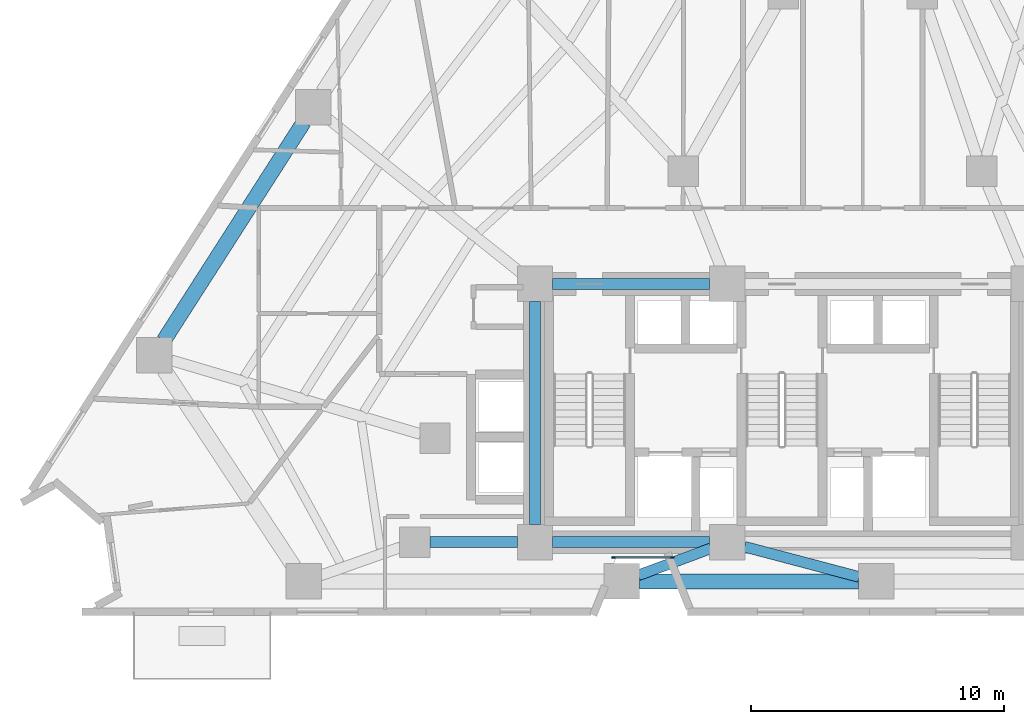
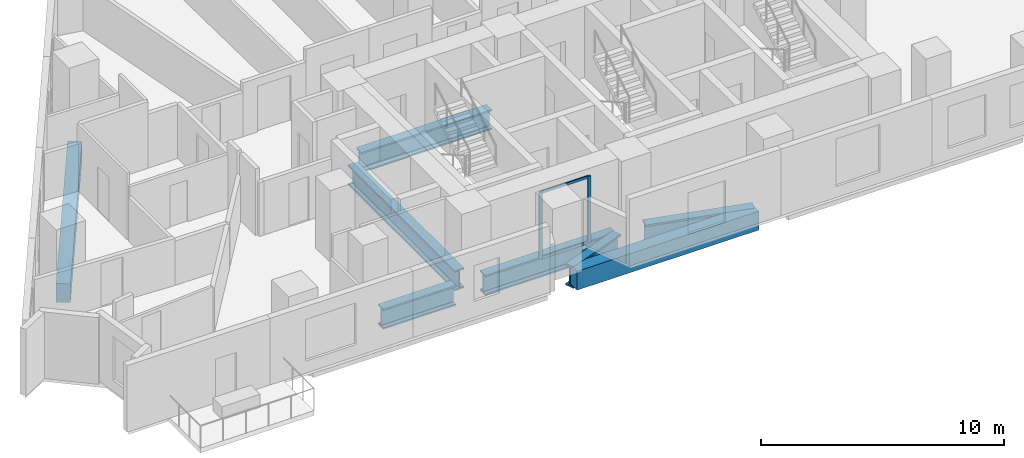
# One storey, part 2 of 14: 8 beams, 4 members, 1 element without a shape of its own.
"""IFC4 building model written with IfcOpenShell, lengths in metres."""

from ifc_helpers import new_model, si_unit, direction, frame, origin, origin_2d, place, context, subcontext, project, spatial, rectangle, i_section, extrude, material, layer, layer_set, material_profile, profile_set, type_object, element, aggregate, save


model = new_model("IFC4")

# Units and contexts
model_context = context("Model", 3, precision=1e-05, world=origin(), true_north=direction((0.0, 1.0)))
body_context = subcontext(model_context, "Body", "Model", "MODEL_VIEW")
ifc_project = project(units=[si_unit("LENGTHUNIT", "METRE"), si_unit("AREAUNIT", "SQUARE_METRE"), si_unit("VOLUMEUNIT", "CUBIC_METRE"), si_unit("PLANEANGLEUNIT", "RADIAN"), si_unit("MASSUNIT", "GRAM", prefix="KILO")], contexts=[model_context])

# Site, building, storey
site_placement = place(None, origin())
site = spatial("IfcSite", under=ifc_project, at=site_placement, CompositionType="ELEMENT")
building_placement = place(site_placement, origin())
building = spatial("IfcBuilding", under=site, at=building_placement, Name="Almagre Mirador Tower", CompositionType="ELEMENT")
storey_placement = place(building_placement, frame((0.0, 0.0, 35.39990234375)))
storey = spatial("IfcBuildingStorey", under=building, at=storey_placement, Name="L07", CompositionType="ELEMENT", Elevation=35.39990234375)

# Beams
ifc_material_1 = material(Name="Precast concrete C50/60", Category="concrete")
ifc_material_profile_1 = material_profile(ifc_material_1, rectangle(XDim=0.60009765625, YDim=0.949951171875, at=origin_2d()), Name="RC600X950")
ifc_profile_set_1 = profile_set([ifc_material_profile_1], Name="Precast concrete C50/60")
beam_type_1 = type_object("IfcBeamType", Name="BM-SPN-RC600X950", PredefinedType="SPANDREL", material=ifc_profile_set_1)
beam_1_placement = place(storey_placement, frame((31.676025390625, 3.0, -0.724853515625), z_axis=(1.0, 0.0, 0.0), x_axis=(0.0, 1.0, 0.0)))
element("IfcBeam", 1, at=beam_1_placement, inside=storey, type_object=beam_type_1, Name="L07 perimeter spandrel beam PC02-PC03", PredefinedType="SPANDREL", context=body_context, shape_type="SweptSolid", body=[
    extrude(rectangle(XDim=0.60009765625, YDim=0.949951171875, at=origin_2d()), origin(), (0.0, 0.0, 1.0), 8.64794921875),
])
beam_2_placement = place(storey_placement, frame((18.42041015625, 21.1435546875, -0.724853515625), z_axis=(-0.539549548581, -0.841953849463, 0.0), x_axis=(0.841953849463, -0.539549548581, 0.0)))
element("IfcBeam", 2, at=beam_2_placement, inside=storey, type_object=beam_type_1, Name="L07 perimeter spandrel beam PC11-PC12", PredefinedType="SPANDREL", context=body_context, shape_type="SweptSolid", body=[
    extrude(rectangle(XDim=0.60009765625, YDim=0.949951171875, at=origin_2d()), origin(), (0.0, 0.0, 1.0), 10.239501953125),
])
ifc_material_2 = material(Name="Steel ASTM A992 Grade 50", Category="steel")
ifc_material_profile_2 = material_profile(ifc_material_2, i_section(OverallWidth=0.43701171875, OverallDepth=1.010986328125, WebThickness=0.041015625, FlangeThickness=0.073974609375, FilletRadius=0.028076171875, at=origin_2d()), Name="W36X529")
ifc_profile_set_2 = profile_set([ifc_material_profile_2], Name="Steel ASTM A992 Grade 50")
beam_type_2 = type_object("IfcBeamType", Name="BM-STL-W36X529", PredefinedType="BEAM", material=ifc_profile_set_2)
for number, where, z_axis, x_axis, name in (
    (3, (28.25, 4.550048828125, -0.75537109375), (1.0, 0.0, 0.0), (0.0, 1.0, 0.0), "L07 core tie girder CC1-CC2"),
    (4, (28.25, 14.75, -0.75537109375), (1.0, 0.0, 0.0), (0.0, 1.0, 0.0), "L07 core tie girder CC4-CC5"),
):
    element("IfcBeam", number, at=place(storey_placement, frame(where, z_axis=z_axis, x_axis=x_axis)), inside=storey, type_object=beam_type_2, Name=name, PredefinedType="BEAM", context=body_context, shape_type="SweptSolid", body=[
        extrude(i_section(OverallWidth=0.43701171875, OverallDepth=1.010986328125, WebThickness=0.041015625, FlangeThickness=0.073974609375, FilletRadius=0.028076171875, at=origin_2d()), origin(), (0.0, 0.0, 1.0), 6.199951171875),
    ])
beam_3_placement = place(storey_placement, frame((27.550048828125, 5.25, -0.75537109375), z_axis=(0.0, 1.0, 0.0), x_axis=(-1.0, 0.0, 0.0)))
element("IfcBeam", 5, at=beam_3_placement, inside=storey, type_object=beam_type_2, Name="L07 core tie girder CC1-CC4", PredefinedType="BEAM", context=body_context, shape_type="SweptSolid", body=[
    extrude(i_section(OverallWidth=0.43701171875, OverallDepth=1.010986328125, WebThickness=0.041015625, FlangeThickness=0.073974609375, FilletRadius=0.028076171875, at=origin_2d()), origin(), (0.0, 0.0, 1.0), 8.800048828125),
])
beam_4_placement = place(storey_placement, frame((23.39990234375, 4.550048828125, -0.75537109375), z_axis=(1.0, 0.0, 0.0), x_axis=(0.0, 1.0, 0.0)))
element("IfcBeam", 6, at=beam_4_placement, inside=storey, type_object=beam_type_2, Name="L07 core tie girder MC1-CC1", PredefinedType="BEAM", context=body_context, shape_type="SweptSolid", body=[
    extrude(i_section(OverallWidth=0.43701171875, OverallDepth=1.010986328125, WebThickness=0.041015625, FlangeThickness=0.073974609375, FilletRadius=0.028076171875, at=origin_2d()), origin(), (0.0, 0.0, 1.0), 3.4501953125),
])
ifc_material_3 = material(Name="Steel ASTM A913 Grade 65", Category="steel")
ifc_material_profile_3 = material_profile(ifc_material_3, i_section(OverallWidth=0.424072265625, OverallDepth=1.092041015625, WebThickness=0.04541015625, FlangeThickness=0.08203125, FilletRadius=0.030029296875, at=origin_2d()), Name="W40X593")
ifc_profile_set_3 = profile_set([ifc_material_profile_3], Name="Steel ASTM A913 Grade 65")
beam_type_3 = type_object("IfcBeamType", Name="BM-STL-W40X593", PredefinedType="BEAM", material=ifc_profile_set_3)
beam_5_placement = place(storey_placement, frame((31.632080078125, 3.24365234375, -0.7958984375), z_axis=(0.937448389948, 0.348124282669, 0.0), x_axis=(-0.348124282669, 0.937448389948, 0.0)))
element("IfcBeam", 7, at=beam_5_placement, inside=storey, type_object=beam_type_3, Name="L07 radial floor girder PC02-CC2", PredefinedType="BEAM", context=body_context, shape_type="SweptSolid", body=[
    extrude(i_section(OverallWidth=0.424072265625, OverallDepth=1.092041015625, WebThickness=0.04541015625, FlangeThickness=0.08203125, FilletRadius=0.030029296875, at=origin_2d()), origin(), (0.0, 0.0, 1.0), 3.052734375),
])
beam_6_placement = place(storey_placement, frame((40.34716796875, 3.1787109375, -0.7958984375), z_axis=(-0.966911988655, 0.255110184422, 0.0), x_axis=(-0.255110184422, -0.966911988655, 0.0)))
element("IfcBeam", 8, at=beam_6_placement, inside=storey, type_object=beam_type_3, Name="L07 radial floor girder PC03-CC2", PredefinedType="BEAM", context=body_context, shape_type="SweptSolid", body=[
    extrude(i_section(OverallWidth=0.424072265625, OverallDepth=1.092041015625, WebThickness=0.04541015625, FlangeThickness=0.08203125, FilletRadius=0.030029296875, at=origin_2d()), origin(), (0.0, 0.0, 1.0), 4.675048828125),
])

# Curtain wall, members
ifc_material_4 = material(Name="Black anodized aluminium", Category="aluminium")
ifc_layer = layer(ifc_material_4, 0.169921875)
ifc_layer_set = layer_set([ifc_layer], Name="Black anodized aluminium")
curtain_wall_type = type_object("IfcCurtainWallType", Name="CW-CRS-SYS", PredefinedType="NOTDEFINED", material=ifc_layer_set)
curtain_wall_placement = place(storey_placement, origin())
curtain_wall = element("IfcCurtainWall", 9, at=curtain_wall_placement, inside=storey, type_object=curtain_wall_type, Name="L07 vertical crease curtain wall 04", PredefinedType="NOTDEFINED")
ifc_material_5 = material(Name="Black anodized aluminium", Category="aluminium")
ifc_material_profile_4 = material_profile(ifc_material_5, rectangle(XDim=0.06005859375, YDim=0.14990234375, at=origin_2d()), Name="CWM60X150")
ifc_profile_set_4 = profile_set([ifc_material_profile_4], Name="Black anodized aluminium")
member_type_1 = type_object("IfcMemberType", Name="MBR-CWM60X150", PredefinedType="MULLION", material=ifc_profile_set_4)
member_1_placement = place(storey_placement, frame((32.962890625, 3.949951171875, 0.0), z_axis=(0.0, 0.0, 1.0), x_axis=(0.0, -1.0, 0.0)))
member_1 = element("IfcMember", 10, at=member_1_placement, type_object=member_type_1, Name="CW-4 mullion 1", PredefinedType="MULLION", context=body_context, shape_type="SweptSolid", body=[
    extrude(rectangle(XDim=0.06005859375, YDim=0.14990234375, at=origin_2d()), origin(), (0.0, 0.0, 1.0), 3.35009765625),
])
member_2_placement = place(storey_placement, frame((30.653076171875, 3.949951171875, 0.0), z_axis=(0.0, 0.0, 1.0), x_axis=(0.0, -1.0, 0.0)))
member_2 = element("IfcMember", 11, at=member_2_placement, type_object=member_type_1, Name="CW-4 mullion 2", PredefinedType="MULLION", context=body_context, shape_type="SweptSolid", body=[
    extrude(rectangle(XDim=0.06005859375, YDim=0.14990234375, at=origin_2d()), origin(), (0.0, 0.0, 1.0), 3.35009765625),
])
ifc_material_6 = material(Name="Black anodized aluminium", Category="aluminium")
ifc_material_profile_5 = material_profile(ifc_material_6, rectangle(XDim=0.06005859375, YDim=0.1298828125, at=origin_2d()), Name="CWT60X130")
ifc_profile_set_5 = profile_set([ifc_material_profile_5], Name="Black anodized aluminium")
member_type_2 = type_object("IfcMemberType", Name="MBR-CWT60X130", PredefinedType="USERDEFINED", material=ifc_profile_set_5)
member_3_placement = place(storey_placement, frame((32.93310546875, 3.949951171875, 0.030029296875), z_axis=(-1.0, 0.0, 0.0), x_axis=(0.0, -1.0, 0.0)))
member_3 = element("IfcMember", 12, at=member_3_placement, type_object=member_type_2, Name="CW-4 transom 1.1", ObjectType="TRANSOM", PredefinedType="USERDEFINED", context=body_context, shape_type="SweptSolid", body=[
    extrude(rectangle(XDim=0.06005859375, YDim=0.1298828125, at=origin_2d()), origin(), (0.0, 0.0, 1.0), 2.25),
])
member_4_placement = place(storey_placement, frame((32.93310546875, 3.949951171875, 3.320068359375), z_axis=(-1.0, 0.0, 0.0), x_axis=(0.0, -1.0, 0.0)))
member_4 = element("IfcMember", 13, at=member_4_placement, type_object=member_type_2, Name="CW-4 transom 1.2", ObjectType="TRANSOM", PredefinedType="USERDEFINED", context=body_context, shape_type="SweptSolid", body=[
    extrude(rectangle(XDim=0.06005859375, YDim=0.1298828125, at=origin_2d()), origin(), (0.0, 0.0, 1.0), 2.25),
])
aggregate(curtain_wall, [member_1, member_2, member_3, member_4])

save(model, "model.ifc")
